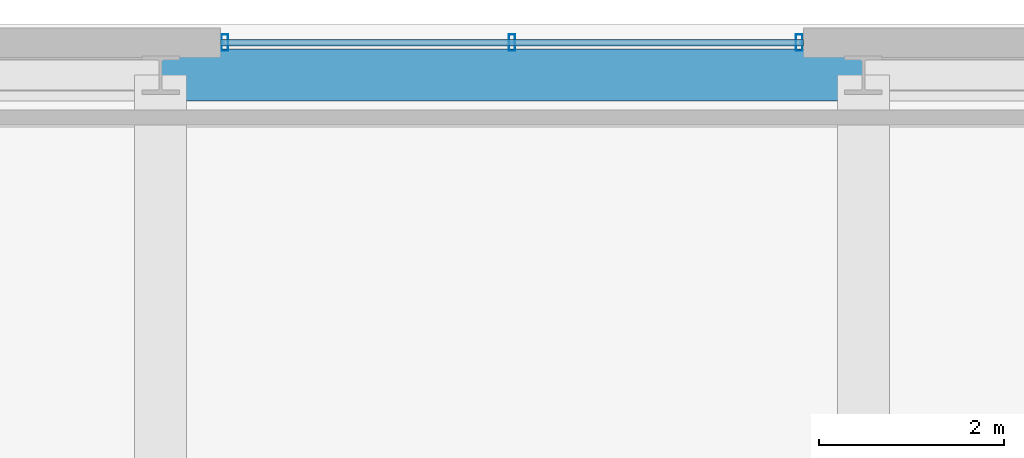
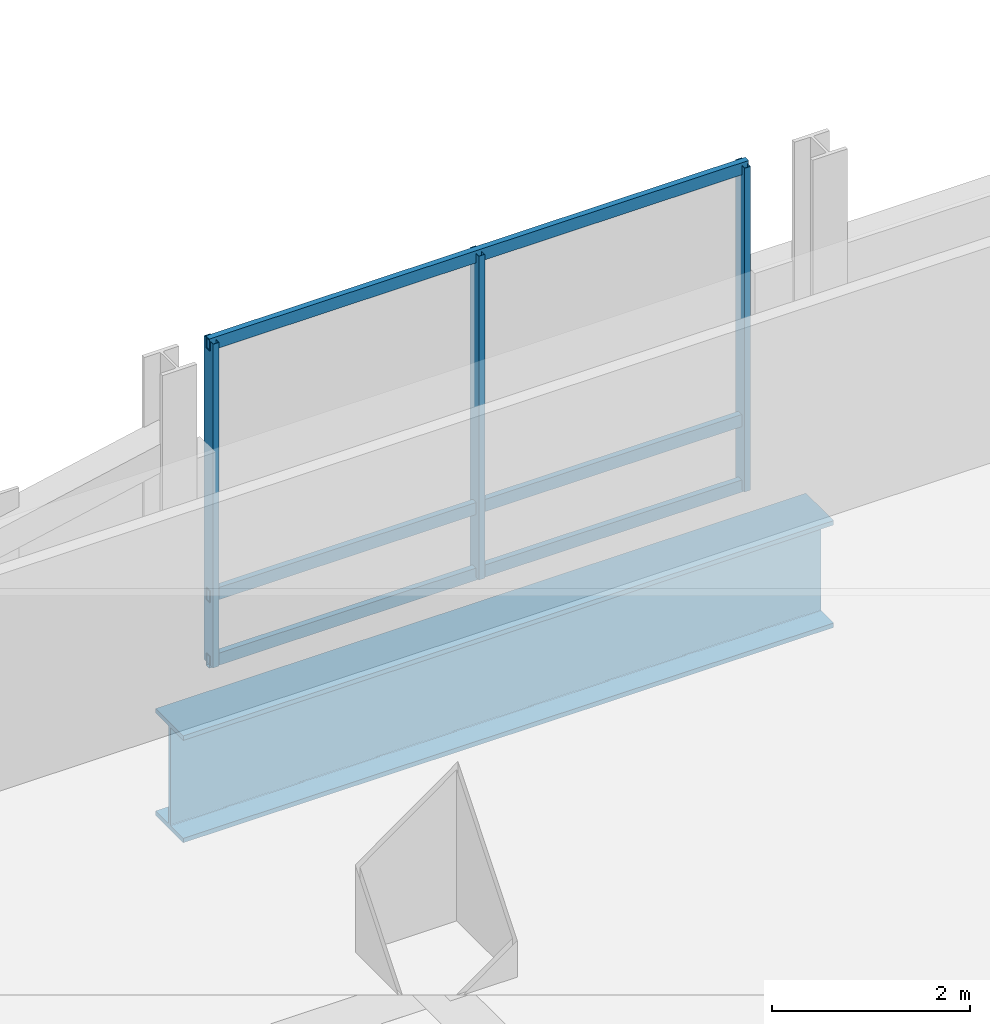
# One storey, part 7 of 31: 6 members, 1 beam, 1 element without a shape of its own.
"""IFC4 building model written with IfcOpenShell, lengths in metres."""

from ifc_helpers import new_model, si_unit, direction, frame, origin, origin_2d, place, context, subcontext, project, spatial, hollow_rectangle, i_section, extrude, material, material_profile, profile_set, type_object, element, aggregate, save


model = new_model("IFC4")

# Units and contexts
model_context = context("Model", 3, precision=1e-05, world=origin(), true_north=direction((0.0, 1.0)))
body_context = subcontext(model_context, "Body", "Model", "MODEL_VIEW")
ifc_project = project(units=[si_unit("LENGTHUNIT", "METRE"), si_unit("AREAUNIT", "SQUARE_METRE"), si_unit("VOLUMEUNIT", "CUBIC_METRE"), si_unit("PLANEANGLEUNIT", "RADIAN"), si_unit("MASSUNIT", "GRAM", prefix="KILO")], contexts=[model_context])

# Site, building, storey
site_placement = place(None, origin())
site = spatial("IfcSite", under=ifc_project, at=site_placement, CompositionType="ELEMENT")
building_placement = place(site_placement, origin())
building = spatial("IfcBuilding", under=site, at=building_placement, Name="Punatoya Terracotta Tower", CompositionType="ELEMENT")
storey_placement = place(building_placement, frame((0.0, 0.0, 283.800048828125)))
storey = spatial("IfcBuildingStorey", under=building, at=storey_placement, Name="L67", CompositionType="ELEMENT", Elevation=283.800048828125)

# Beam
ifc_material_1 = material(Name="Steel S460", Category="steel")
ifc_material_profile_1 = material_profile(ifc_material_1, i_section(OverallWidth=0.56005859375, OverallDepth=1.320068359375, WebThickness=0.035888671875, FlangeThickness=0.054931640625, FilletRadius=0.01806640625, at=origin_2d()))
ifc_profile_set_1 = profile_set([ifc_material_profile_1], Name="Steel S460")
beam_type = type_object("IfcBeamType", Name="BM-TG-BLK", PredefinedType="BEAM", material=ifc_profile_set_1)
beam_placement = place(storey_placement, frame((-3.800048828125, 22.89990234375, -0.93994140625), z_axis=(1.0, 0.0, 0.0), x_axis=(0.0, 1.0, 0.0)))
element("IfcBeam", 1, at=beam_placement, inside=storey, type_object=beam_type, Name="BM-L67-PER-N2", PredefinedType="BEAM", context=body_context, shape_type="SweptSolid", body=[
    extrude(i_section(OverallWidth=0.56005859375, OverallDepth=1.320068359375, WebThickness=0.035888671875, FlangeThickness=0.054931640625, FilletRadius=0.01806640625, at=origin_2d()), origin(), (0.0, 0.0, 1.0), 7.60009765625),
])

# Curtain wall, members
ifc_material_2 = material(Name="Aluminium 6063-T6 + Double Low-E Glass", Category="aluminium")
curtain_wall_type = type_object("IfcCurtainWallType", Name="CW-M3", PredefinedType="NOTDEFINED", material=ifc_material_2)
curtain_wall_placement = place(storey_placement, origin())
curtain_wall = element("IfcCurtainWall", 2, at=curtain_wall_placement, inside=storey, type_object=curtain_wall_type, Name="L67 Curtain Wall CW-L67-N09-1", PredefinedType="NOTDEFINED")
ifc_material_3 = material(Name="Aluminium 6063-T6", Category="aluminium")
ifc_material_profile_2 = material_profile(ifc_material_3, hollow_rectangle(XDim=0.070068359375, YDim=0.179931640625, WallThickness=0.00390625, at=origin_2d()))
ifc_profile_set_2 = profile_set([ifc_material_profile_2], Name="Aluminium 6063-T6")
member_type_1 = type_object("IfcMemberType", Name="CW-MUL-M3", PredefinedType="MULLION", material=ifc_profile_set_2)
member_1_placement = place(storey_placement, frame((3.10498046875, 23.25, 0.0), z_axis=(0.0, 0.0, 1.0), x_axis=(1.0, 0.0, 0.0)))
member_1 = element("IfcMember", 3, at=member_1_placement, type_object=member_type_1, Name="CW-L67-N09-1 Mullion 00", PredefinedType="MULLION", context=body_context, shape_type="SweptSolid", body=[
    extrude(hollow_rectangle(XDim=0.070068359375, YDim=0.179931640625, WallThickness=0.00390625, at=origin_2d()), origin(), (0.0, 0.0, 1.0), 4.0),
])
member_2_placement = place(storey_placement, frame((0.0, 23.25, 0.0), z_axis=(0.0, 0.0, 1.0), x_axis=(1.0, 0.0, 0.0)))
member_2 = element("IfcMember", 4, at=member_2_placement, type_object=member_type_1, Name="CW-L67-N09-1 Mullion 01", PredefinedType="MULLION", context=body_context, shape_type="SweptSolid", body=[
    extrude(hollow_rectangle(XDim=0.070068359375, YDim=0.179931640625, WallThickness=0.00390625, at=origin_2d()), origin(), (0.0, 0.0, 1.0), 4.0),
])
member_3_placement = place(storey_placement, frame((-3.10498046875, 23.25, 0.0), z_axis=(0.0, 0.0, 1.0), x_axis=(1.0, 0.0, 0.0)))
member_3 = element("IfcMember", 5, at=member_3_placement, type_object=member_type_1, Name="CW-L67-N09-1 Mullion 02", PredefinedType="MULLION", context=body_context, shape_type="SweptSolid", body=[
    extrude(hollow_rectangle(XDim=0.070068359375, YDim=0.179931640625, WallThickness=0.00390625, at=origin_2d()), origin(), (0.0, 0.0, 1.0), 4.0),
])
ifc_material_profile_3 = material_profile(ifc_material_3, hollow_rectangle(XDim=0.068115234375, YDim=0.14990234375, WallThickness=0.00390625, at=origin_2d()))
ifc_profile_set_3 = profile_set([ifc_material_profile_3], Name="Aluminium 6063-T6")
member_type_2 = type_object("IfcMemberType", Name="CW-TRN-TYP", PredefinedType="USERDEFINED", material=ifc_profile_set_3)
member_4_placement = place(storey_placement, frame((3.14990234375, 23.25, 0.0400390625), z_axis=(-1.0, 0.0, 0.0), x_axis=(0.0, -1.0, 0.0)))
member_4 = element("IfcMember", 6, at=member_4_placement, type_object=member_type_2, Name="CW-L67-N09-1 Transom 1", ObjectType="TRANSOM", PredefinedType="USERDEFINED", context=body_context, shape_type="SweptSolid", body=[
    extrude(hollow_rectangle(XDim=0.068115234375, YDim=0.14990234375, WallThickness=0.00390625, at=origin_2d()), origin(), (0.0, 0.0, 1.0), 6.2998046875),
])
member_5_placement = place(storey_placement, frame((3.14990234375, 23.25, 0.849853515625), z_axis=(-1.0, 0.0, 0.0), x_axis=(0.0, -1.0, 0.0)))
member_5 = element("IfcMember", 7, at=member_5_placement, type_object=member_type_2, Name="CW-L67-N09-1 Transom 2", ObjectType="TRANSOM", PredefinedType="USERDEFINED", context=body_context, shape_type="SweptSolid", body=[
    extrude(hollow_rectangle(XDim=0.068115234375, YDim=0.14990234375, WallThickness=0.00390625, at=origin_2d()), origin(), (0.0, 0.0, 1.0), 6.2998046875),
])
member_6_placement = place(storey_placement, frame((3.14990234375, 23.25, 3.9599609375), z_axis=(-1.0, 0.0, 0.0), x_axis=(0.0, -1.0, 0.0)))
member_6 = element("IfcMember", 8, at=member_6_placement, type_object=member_type_2, Name="CW-L67-N09-1 Transom 3", ObjectType="TRANSOM", PredefinedType="USERDEFINED", context=body_context, shape_type="SweptSolid", body=[
    extrude(hollow_rectangle(XDim=0.068115234375, YDim=0.14990234375, WallThickness=0.00390625, at=origin_2d()), origin(), (0.0, 0.0, 1.0), 6.2998046875),
])
aggregate(curtain_wall, [member_1, member_2, member_3, member_4, member_5, member_6])

save(model, "model.ifc")
